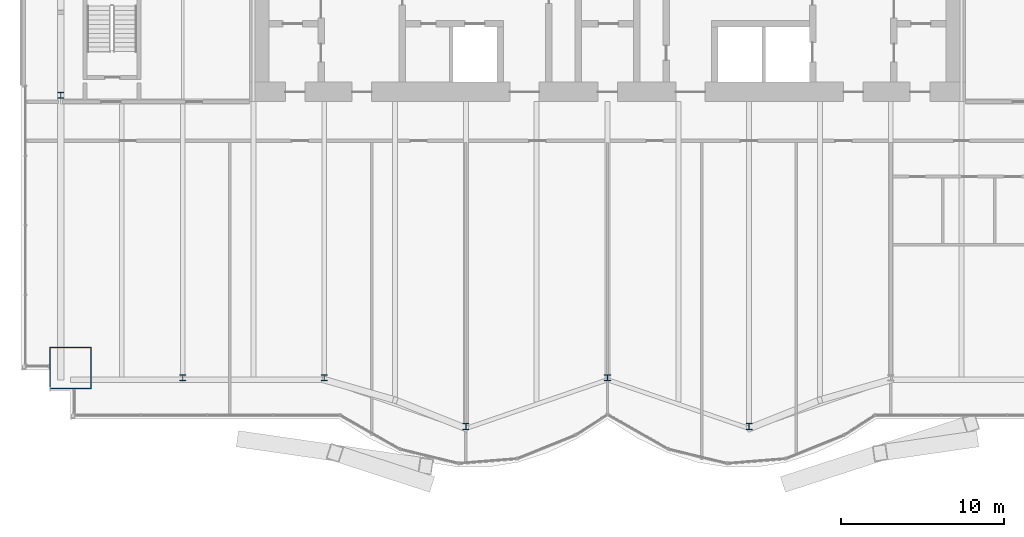
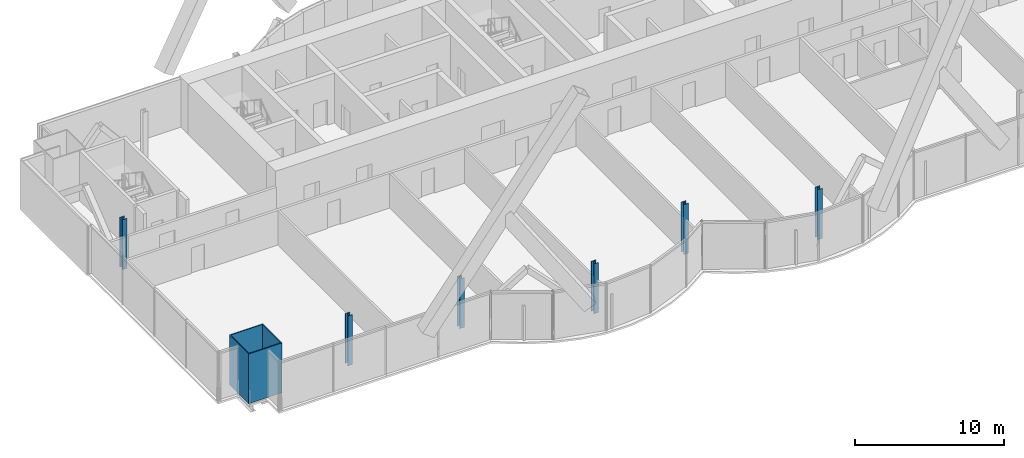
# One storey, part 1 of 22: 7 columns.
"""IFC4 building model written with IfcOpenShell, lengths in metres."""

from ifc_helpers import new_model, si_unit, direction, frame, origin, origin_2d, place, context, subcontext, project, spatial, hollow_rectangle, i_section, extrude, material, material_profile, profile_set, type_object, element, save


model = new_model("IFC4")

# Units and contexts
model_context = context("Model", 3, precision=1e-05, world=origin(), true_north=direction((0.0, 1.0)))
body_context = subcontext(model_context, "Body", "Model", "MODEL_VIEW")
ifc_project = project(units=[si_unit("LENGTHUNIT", "METRE"), si_unit("AREAUNIT", "SQUARE_METRE"), si_unit("VOLUMEUNIT", "CUBIC_METRE"), si_unit("PLANEANGLEUNIT", "RADIAN"), si_unit("MASSUNIT", "GRAM", prefix="KILO")], contexts=[model_context])

# Site, building, storey
site_placement = place(None, origin())
site = spatial("IfcSite", under=ifc_project, at=site_placement, CompositionType="ELEMENT")
building_placement = place(site_placement, origin())
building = spatial("IfcBuilding", under=site, at=building_placement, Name="Bicima Exchange Tower", CompositionType="ELEMENT")
storey_placement = place(building_placement, frame((0.0, 0.0, 203.199951171875)))
storey = spatial("IfcBuildingStorey", under=building, at=storey_placement, Name="L45", CompositionType="ELEMENT", Elevation=203.199951171875)

# Columns
ifc_material_1 = material(Name="Steel ASTM A572 Gr 50", Category="steel")
ifc_material_profile_1 = material_profile(ifc_material_1, hollow_rectangle(XDim=2.60009765625, YDim=2.60009765625, WallThickness=0.070068359375, at=origin_2d()))
ifc_profile_set_1 = profile_set([ifc_material_profile_1], Name="Steel ASTM A572 Gr 50")
column_type_1 = type_object("IfcColumnType", Name="Mega column BOX 2600x2600x70", PredefinedType="COLUMN", material=ifc_profile_set_1)
column_placement = place(storey_placement, frame((-33.0, -29.362060546875, 0.0), z_axis=(0.0, 0.0, 1.0), x_axis=(1.0, 0.0, 0.0)))
element("IfcColumn", 1, at=column_placement, inside=storey, type_object=column_type_1, Name="Mega column mega-33.0f", PredefinedType="COLUMN", context=body_context, shape_type="SweptSolid", body=[
    extrude(hollow_rectangle(XDim=2.60009765625, YDim=2.60009765625, WallThickness=0.070068359375, at=origin_2d()), origin(), (0.0, 0.0, 1.0), 4.10009765625),
])
ifc_material_2 = material(Name="Steel ASTM A992 Gr 50", Category="steel")
ifc_material_profile_2 = material_profile(ifc_material_2, i_section(OverallWidth=0.373291015625, OverallDepth=0.373291015625, WebThickness=0.016357421875, FlangeThickness=0.026123046875, at=origin_2d()))
ifc_profile_set_2 = profile_set([ifc_material_profile_2], Name="Steel ASTM A992 Gr 50")
column_type_2 = type_object("IfcColumnType", Name="Perimeter column W14x132", PredefinedType="COLUMN", material=ifc_profile_set_2)
for number, where, z_axis, x_axis, name in (
    (2, (-26.10009765625, -29.9619140625, 0.0), (0.0, 0.0, 1.0), (1.0, 0.0, 0.0), "Perimeter column grav-26.1f"),
    (3, (-17.39990234375, -29.9619140625, 0.0), (0.0, 0.0, 1.0), (1.0, 0.0, 0.0), "Perimeter column grav-17.4f"),
    (4, (-8.699951171875, -32.953125, 0.0), (0.0, 0.0, 1.0), (1.0, 0.0, 0.0), "Perimeter column grav-8.7f"),
    (5, (0.0, -29.9619140625, 0.0), (0.0, 0.0, 1.0), (1.0, 0.0, 0.0), "Perimeter column grav-0.0f"),
    (6, (8.699951171875, -32.953125, 0.0), (0.0, 0.0, 1.0), (1.0, 0.0, 0.0), "Perimeter column grav+8.7f"),
    (7, (-33.60009765625, -12.60009765625, 0.0), (0.0, 0.0, 1.0), (1.0, 0.0, 0.0), "End column end-33.6e"),
):
    element("IfcColumn", number, at=place(storey_placement, frame(where, z_axis=z_axis, x_axis=x_axis)), inside=storey, type_object=column_type_2, Name=name, PredefinedType="COLUMN", context=body_context, shape_type="SweptSolid", body=[
        extrude(i_section(OverallWidth=0.373291015625, OverallDepth=0.373291015625, WebThickness=0.016357421875, FlangeThickness=0.026123046875, at=origin_2d()), origin(), (0.0, 0.0, 1.0), 4.10009765625),
    ])

save(model, "model.ifc")
